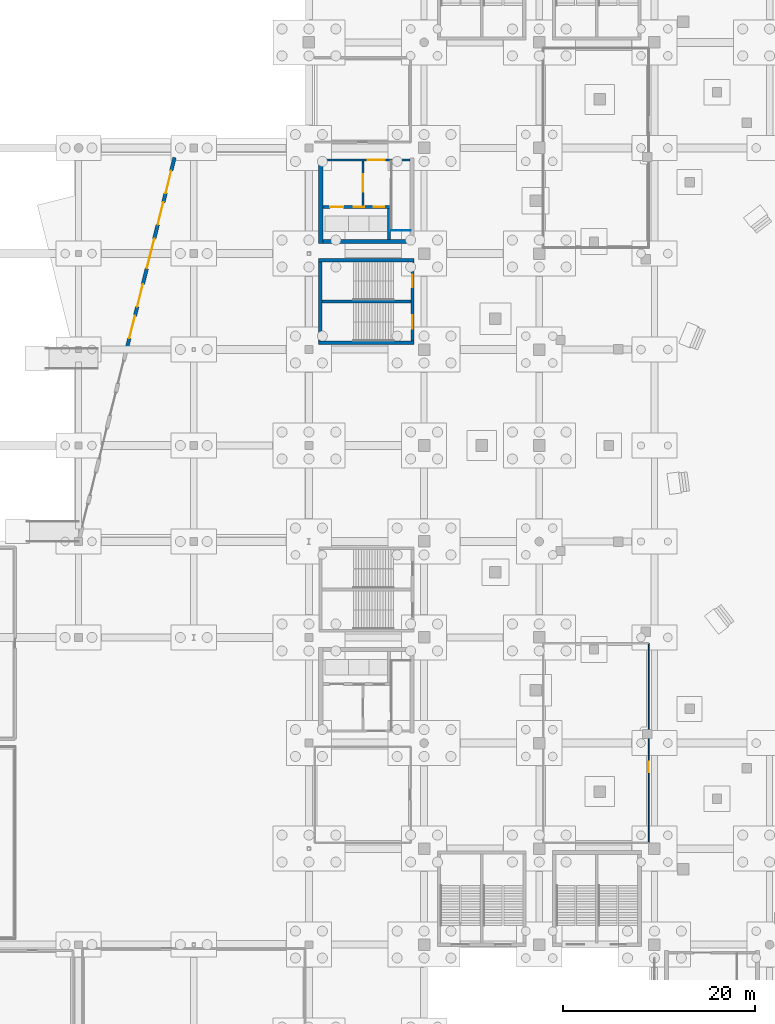
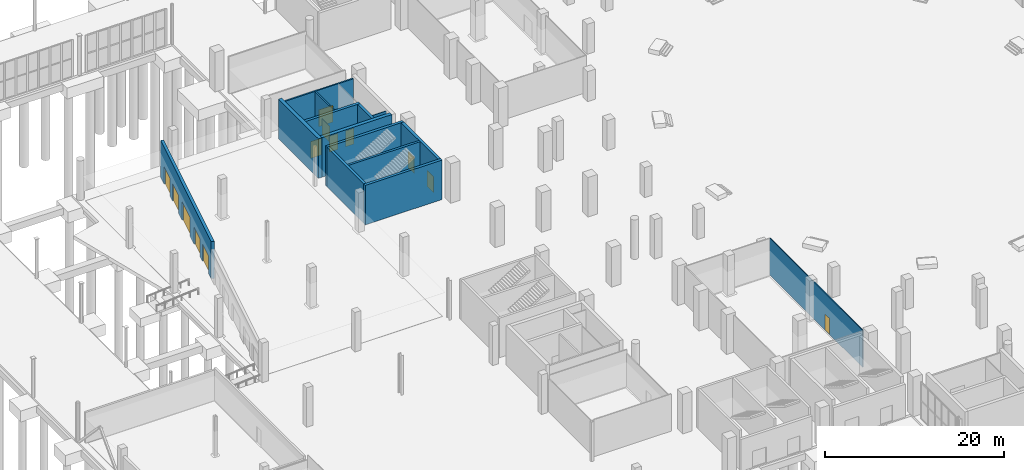
# One storey, part 51 of 70: 14 walls, 13 doors, 13 openings.
"""IFC4 building model written with IfcOpenShell, lengths in metres."""

from ifc_helpers import new_model, si_unit, direction, frame, frame_2d, origin, place, context, subcontext, project, spatial, rectangle, extrude, material, layer, layer_set, type_object, element, fill, save


model = new_model("IFC4")

# Units and contexts
model_context = context("Model", 3, precision=1e-05, world=origin(), true_north=direction((0.0, 1.0)))
body_context = subcontext(model_context, "Body", "Model", "MODEL_VIEW")
ifc_project = project(units=[si_unit("LENGTHUNIT", "METRE"), si_unit("AREAUNIT", "SQUARE_METRE"), si_unit("VOLUMEUNIT", "CUBIC_METRE"), si_unit("PLANEANGLEUNIT", "RADIAN"), si_unit("MASSUNIT", "GRAM", prefix="KILO")], contexts=[model_context])

# Site, building, storey
site_placement = place(None, origin())
site = spatial("IfcSite", under=ifc_project, at=site_placement, CompositionType="ELEMENT")
building_placement = place(site_placement, origin())
building = spatial("IfcBuilding", under=site, at=building_placement, Name="Brinegate Civic Arena", CompositionType="ELEMENT")
storey_placement = place(building_placement, origin())
storey = spatial("IfcBuildingStorey", under=building, at=storey_placement, Name="L00", CompositionType="ELEMENT", Elevation=0.0)

# Walls
ifc_material_1 = material(Name="Concrete C50/60", Category="concrete")
ifc_layer_1 = layer(ifc_material_1, 0.35009765625, Name="Concrete C50/60")
ifc_layer_set_1 = layer_set([ifc_layer_1], Name="Concrete C50/60")
wall_type_1 = type_object("IfcWallType", Name="WALL-CORE-SHEAR-350", PredefinedType="SHEAR", material=ifc_layer_set_1)
for number, where, z_axis, x_axis, name in (
    (1, (49.02490234375, 72.699951171875, 0.0), (0.0, 0.0, 1.0), (1.0, 0.0, 0.0), "Stair ST-07 South Shear Wall L00 (WBC-68)"),
    (2, (49.02490234375, 81.300048828125, 0.0), (0.0, 0.0, 1.0), (1.0, 0.0, 0.0), "Stair ST-07 North Shear Wall L00 (WBC-69)"),
):
    element("IfcWall", number, at=place(storey_placement, frame(where, z_axis=z_axis, x_axis=x_axis)), inside=storey, type_object=wall_type_1, Name=name, PredefinedType="SHEAR", context=body_context, shape_type="SweptSolid", body=[
        extrude(rectangle(XDim=9.9501953125, YDim=0.35009765625, at=frame_2d((4.97509765625, 0.0))), origin(), (0.0, 0.0, 1.0), 5.39990234375),
    ])
wall_1_placement = place(storey_placement, frame((49.199951171875, 72.875, 0.0), z_axis=(0.0, 0.0, 1.0), x_axis=(0.0, 1.0, 0.0)))
element("IfcWall", 3, at=wall_1_placement, inside=storey, type_object=wall_type_1, Name="Stair ST-07 West Shear Wall L00 (WBC-70)", PredefinedType="SHEAR", context=body_context, shape_type="SweptSolid", body=[
    extrude(rectangle(XDim=8.25, YDim=0.35009765625, at=frame_2d((4.125, 0.0))), origin(), (0.0, 0.0, 1.0), 5.39990234375),
])

# Wall, openings, doors
wall_2_placement = place(storey_placement, frame((58.800048828125, 72.875, 0.0), z_axis=(0.0, 0.0, 1.0), x_axis=(0.0, 1.0, 0.0)))
wall_2 = element("IfcWall", 4, at=wall_2_placement, inside=storey, type_object=wall_type_1, Name="Stair ST-07 East Shear Wall L00 (WBC-71)", PredefinedType="SHEAR", context=body_context, shape_type="SweptSolid", body=[
    extrude(rectangle(XDim=8.25, YDim=0.35009765625, at=frame_2d((4.125, 0.0))), origin(), (0.0, 0.0, 1.0), 5.39990234375),
])
opening_1_placement = place(wall_2_placement, frame((1.27490234375, 0.0, 0.0)))
opening_1 = element("IfcOpeningElement", 5, at=opening_1_placement, cuts=wall_2, Name="Opening D-ST07A-L00", PredefinedType="OPENING", context=body_context, shape_type="SweptSolid", body=[
    extrude(rectangle(XDim=1.39990234375, YDim=2.199951171875, at=frame_2d((0.699951171875, 1.10009765625))), frame((0.0, 0.18505859375, 0.0), z_axis=(0.0, -1.0, 0.0), x_axis=(1.0, 0.0, 0.0)), (0.0, 0.0, 1.0), 0.3701171875),
])
opening_2_placement = place(wall_2_placement, frame((5.614990234375, 0.0, 0.0)))
opening_2 = element("IfcOpeningElement", 6, at=opening_2_placement, cuts=wall_2, Name="Opening D-ST07B-L00", PredefinedType="OPENING", context=body_context, shape_type="SweptSolid", body=[
    extrude(rectangle(XDim=1.320068359375, YDim=2.199951171875, at=frame_2d((0.66015625, 1.10009765625))), frame((0.0, 0.18505859375, 0.0), z_axis=(0.0, -1.0, 0.0), x_axis=(1.0, 0.0, 0.0)), (0.0, 0.0, 1.0), 0.3701171875),
])
ifc_material_2 = material(Name="Galvanized hurricane steel", Category="steel")
door_type_1 = type_object("IfcDoorType", Name="DOOR-STAIR-2200X2200", OperationType="NOTDEFINED", PredefinedType="DOOR", material=ifc_material_2)
door_1_placement = place(opening_2_placement, origin())
door_1 = element("IfcDoor", 7, at=door_1_placement, inside=storey, type_object=door_type_1, Name="Protected Exit Stair Door D-ST07B-L00", OperationType="DOUBLE_DOOR_SINGLE_SWING", OverallHeight=2.199951171875, OverallWidth=1.320068359375, PredefinedType="DOOR", context=body_context, shape_type="SweptSolid", body=[
    extrude(rectangle(XDim=1.320068359375, YDim=2.199951171875, at=frame_2d((0.66015625, 1.10009765625))), frame((0.0, 0.02490234375, 0.0), z_axis=(0.0, -1.0, 0.0), x_axis=(1.0, 0.0, 0.0)), (0.0, 0.0, 1.0), 0.050048828125),
])
fill(opening_2, door_1)
door_type_2 = type_object("IfcDoorType", Name="DOOR-STAIR-2400X2200", OperationType="NOTDEFINED", PredefinedType="DOOR", material=ifc_material_2)
door_2_placement = place(opening_1_placement, origin())
door_2 = element("IfcDoor", 8, at=door_2_placement, inside=storey, type_object=door_type_2, Name="Protected Exit Stair Door D-ST07A-L00", OperationType="DOUBLE_DOOR_SINGLE_SWING", OverallHeight=2.199951171875, OverallWidth=1.39990234375, PredefinedType="DOOR", context=body_context, shape_type="SweptSolid", body=[
    extrude(rectangle(XDim=1.39990234375, YDim=2.199951171875, at=frame_2d((0.699951171875, 1.10009765625))), frame((0.0, 0.02490234375, 0.0), z_axis=(0.0, -1.0, 0.0), x_axis=(1.0, 0.0, 0.0)), (0.0, 0.0, 1.0), 0.050048828125),
])
fill(opening_1, door_2)

wall_3_placement = place(storey_placement, frame((49.47509765625, 86.85009765625, 0.0), z_axis=(0.0, 0.0, 1.0), x_axis=(1.0, 0.0, 0.0)))
wall_3 = element("IfcWall", 9, at=wall_3_placement, inside=storey, type_object=wall_type_1, Name="Core K1 Lift Shaft Front Wall L00 (WBF-39)", PredefinedType="SHEAR", context=body_context, shape_type="SweptSolid", body=[
    extrude(rectangle(XDim=7.0498046875, YDim=0.35009765625, at=frame_2d((3.52490234375, 0.0))), origin(), (0.0, 0.0, 1.0), 5.39990234375),
])
opening_3_placement = place(wall_3_placement, frame((0.72509765625, 0.0, 0.0)))
opening_3 = element("IfcOpeningElement", 10, at=opening_3_placement, cuts=wall_3, Name="Opening LD-FL1-L00", PredefinedType="OPENING", context=body_context, shape_type="SweptSolid", body=[
    extrude(rectangle(XDim=1.39990234375, YDim=2.300048828125, at=frame_2d((0.699951171875, 1.14990234375))), frame((0.0, 0.18505859375, 0.0), z_axis=(0.0, -1.0, 0.0), x_axis=(1.0, 0.0, 0.0)), (0.0, 0.0, 1.0), 0.3701171875),
])
opening_4_placement = place(wall_3_placement, frame((3.175048828125, 0.0, 0.0)))
opening_4 = element("IfcOpeningElement", 11, at=opening_4_placement, cuts=wall_3, Name="Opening LD-PL1-L00", PredefinedType="OPENING", context=body_context, shape_type="SweptSolid", body=[
    extrude(rectangle(XDim=1.10009765625, YDim=2.199951171875, at=frame_2d((0.550048828125, 1.10009765625))), frame((0.0, 0.18505859375, 0.0), z_axis=(0.0, -1.0, 0.0), x_axis=(1.0, 0.0, 0.0)), (0.0, 0.0, 1.0), 0.3701171875),
])
opening_5_placement = place(wall_3_placement, frame((5.27490234375, 0.0, 0.0)))
opening_5 = element("IfcOpeningElement", 12, at=opening_5_placement, cuts=wall_3, Name="Opening LD-PL2-L00", PredefinedType="OPENING", context=body_context, shape_type="SweptSolid", body=[
    extrude(rectangle(XDim=1.10009765625, YDim=2.199951171875, at=frame_2d((0.550048828125, 1.10009765625))), frame((0.0, 0.18505859375, 0.0), z_axis=(0.0, -1.0, 0.0), x_axis=(1.0, 0.0, 0.0)), (0.0, 0.0, 1.0), 0.3701171875),
])
ifc_material_3 = material(Name="Architectural stainless steel balustrade", Category="steel")
door_type_3 = type_object("IfcDoorType", Name="DOOR-LIFT-1100X2200", OperationType="SLIDING_TO_LEFT", PredefinedType="DOOR", material=ifc_material_3)
door_3_placement = place(opening_4_placement, origin())
door_3 = element("IfcDoor", 13, at=door_3_placement, inside=storey, type_object=door_type_3, Name="Sliding Lift Landing Door LD-PL1-L00", OperationType="SLIDING_TO_LEFT", OverallHeight=2.199951171875, OverallWidth=1.10009765625, PredefinedType="DOOR", context=body_context, shape_type="SweptSolid", body=[
    extrude(rectangle(XDim=1.10009765625, YDim=2.199951171875, at=frame_2d((0.550048828125, 1.10009765625))), frame((0.0, 0.02490234375, 0.0), z_axis=(0.0, -1.0, 0.0), x_axis=(1.0, 0.0, 0.0)), (0.0, 0.0, 1.0), 0.050048828125),
])
fill(opening_4, door_3)
door_4_placement = place(opening_5_placement, origin())
door_4 = element("IfcDoor", 14, at=door_4_placement, inside=storey, type_object=door_type_3, Name="Sliding Lift Landing Door LD-PL2-L00", OperationType="SLIDING_TO_LEFT", OverallHeight=2.199951171875, OverallWidth=1.10009765625, PredefinedType="DOOR", context=body_context, shape_type="SweptSolid", body=[
    extrude(rectangle(XDim=1.10009765625, YDim=2.199951171875, at=frame_2d((0.550048828125, 1.10009765625))), frame((0.0, 0.02490234375, 0.0), z_axis=(0.0, -1.0, 0.0), x_axis=(1.0, 0.0, 0.0)), (0.0, 0.0, 1.0), 0.050048828125),
])
fill(opening_5, door_4)
door_type_4 = type_object("IfcDoorType", Name="DOOR-LIFT-1400X2300", OperationType="SLIDING_TO_LEFT", PredefinedType="DOOR", material=ifc_material_3)
door_5_placement = place(opening_3_placement, origin())
door_5 = element("IfcDoor", 15, at=door_5_placement, inside=storey, type_object=door_type_4, Name="Sliding Lift Landing Door LD-FL1-L00", OperationType="SLIDING_TO_LEFT", OverallHeight=2.300048828125, OverallWidth=1.39990234375, PredefinedType="DOOR", context=body_context, shape_type="SweptSolid", body=[
    extrude(rectangle(XDim=1.39990234375, YDim=2.300048828125, at=frame_2d((0.699951171875, 1.14990234375))), frame((0.0, 0.02490234375, 0.0), z_axis=(0.0, -1.0, 0.0), x_axis=(1.0, 0.0, 0.0)), (0.0, 0.0, 1.0), 0.050048828125),
])
fill(opening_3, door_5)

# Walls
wall_4_placement = place(storey_placement, frame((56.35009765625, 83.47509765625, 0.0), z_axis=(0.0, 0.0, 1.0), x_axis=(0.0, 1.0, 0.0)))
element("IfcWall", 16, at=wall_4_placement, inside=storey, type_object=wall_type_1, Name="Core K1 Lift Shaft End Wall L00 (WBF-40)", PredefinedType="SHEAR", context=body_context, shape_type="SweptSolid", body=[
    extrude(rectangle(XDim=3.199951171875, YDim=0.35009765625, at=frame_2d((1.60009765625, 0.0))), origin(), (0.0, 0.0, 1.0), 5.39990234375),
])
ifc_layer_2 = layer(ifc_material_1, 0.449951171875, Name="Concrete C50/60")
ifc_layer_set_2 = layer_set([ifc_layer_2], Name="Concrete C50/60")
wall_type_2 = type_object("IfcWallType", Name="WALL-CORE-SHEAR-450", PredefinedType="SHEAR", material=ifc_layer_set_2)
wall_5_placement = place(storey_placement, frame((49.25, 83.02490234375, 0.0), z_axis=(0.0, 0.0, 1.0), x_axis=(0.0, 1.0, 0.0)))
element("IfcWall", 17, at=wall_5_placement, inside=storey, type_object=wall_type_2, Name="Core K1 West Shear Wall L00 (WBF-36)", PredefinedType="SHEAR", context=body_context, shape_type="SweptSolid", body=[
    extrude(rectangle(XDim=8.9501953125, YDim=0.449951171875, at=frame_2d((4.47509765625, 0.0))), origin(), (0.0, 0.0, 1.0), 5.39990234375),
])
wall_6_placement = place(storey_placement, frame((49.47509765625, 83.25, 0.0), z_axis=(0.0, 0.0, 1.0), x_axis=(1.0, 0.0, 0.0)))
element("IfcWall", 18, at=wall_6_placement, inside=storey, type_object=wall_type_2, Name="Core K1 South Shear Wall L00 (WBF-38)", PredefinedType="SHEAR", context=body_context, shape_type="SweptSolid", body=[
    extrude(rectangle(XDim=9.0498046875, YDim=0.449951171875, at=frame_2d((4.52490234375, 0.0))), origin(), (0.0, 0.0, 1.0), 5.39990234375),
])

# Wall, openings, doors
ifc_material_4 = material(Name="Precast concrete C45/55", Category="concrete")
ifc_layer_3 = layer(ifc_material_4, 0.360107421875, Name="Precast concrete C45/55")
ifc_layer_set_3 = layer_set([ifc_layer_3], Name="Precast concrete C45/55")
wall_type_3 = type_object("IfcWallType", Name="WALL-EXT-PRECAST-360", PredefinedType="SOLIDWALL", material=ifc_layer_set_3)
wall_7_placement = place(storey_placement, frame((29.0, 72.0, 0.0), z_axis=(0.0, 0.0, 1.0), x_axis=(0.242535625036, 0.970142500145, 0.0)))
wall_7 = element("IfcWall", 19, at=wall_7_placement, inside=storey, type_object=wall_type_3, Name="L00 Perimeter Wall WF-2 (WBA-29)", PredefinedType="SOLIDWALL", context=body_context, shape_type="SweptSolid", body=[
    extrude(rectangle(XDim=20.615478515625, YDim=0.360107421875, at=frame_2d((10.3076171875, 0.0))), origin(), (0.0, 0.0, 1.0), 5.06005859375),
])
opening_6_placement = place(wall_7_placement, frame((8.7080078125, 0.0, 0.0)))
opening_6 = element("IfcOpeningElement", 20, at=opening_6_placement, cuts=wall_7, Name="Opening E-12", PredefinedType="OPENING", context=body_context, shape_type="SweptSolid", body=[
    extrude(rectangle(XDim=3.199951171875, YDim=2.60009765625, at=frame_2d((1.60009765625, 1.300048828125))), frame((0.0, 0.18994140625, 0.0), z_axis=(0.0, -1.0, 0.0), x_axis=(1.0, 0.0, 0.0)), (0.0, 0.0, 1.0), 0.380126953125),
])
opening_7_placement = place(wall_7_placement, frame((1.199951171875, 0.0, 0.0)))
opening_7 = element("IfcOpeningElement", 21, at=opening_7_placement, cuts=wall_7, Name="Opening E-23", PredefinedType="OPENING", context=body_context, shape_type="SweptSolid", body=[
    extrude(rectangle(XDim=2.39990234375, YDim=2.39990234375, at=frame_2d((1.199951171875, 1.199951171875))), frame((0.0, 0.18994140625, 0.0), z_axis=(0.0, -1.0, 0.0), x_axis=(1.0, 0.0, 0.0)), (0.0, 0.0, 1.0), 0.380126953125),
])
opening_8_placement = place(wall_7_placement, frame((4.60009765625, 0.0, 0.0)))
opening_8 = element("IfcOpeningElement", 22, at=opening_8_placement, cuts=wall_7, Name="Opening E-24", PredefinedType="OPENING", context=body_context, shape_type="SweptSolid", body=[
    extrude(rectangle(XDim=2.39990234375, YDim=2.39990234375, at=frame_2d((1.199951171875, 1.199951171875))), frame((0.0, 0.18994140625, 0.0), z_axis=(0.0, -1.0, 0.0), x_axis=(1.0, 0.0, 0.0)), (0.0, 0.0, 1.0), 0.380126953125),
])
opening_9_placement = place(wall_7_placement, frame((13.39990234375, 0.0, 0.0)))
opening_9 = element("IfcOpeningElement", 23, at=opening_9_placement, cuts=wall_7, Name="Opening E-25", PredefinedType="OPENING", context=body_context, shape_type="SweptSolid", body=[
    extrude(rectangle(XDim=2.39990234375, YDim=2.39990234375, at=frame_2d((1.199951171875, 1.199951171875))), frame((0.0, 0.18994140625, 0.0), z_axis=(0.0, -1.0, 0.0), x_axis=(1.0, 0.0, 0.0)), (0.0, 0.0, 1.0), 0.380126953125),
])
opening_10_placement = place(wall_7_placement, frame((16.800048828125, 0.0, 0.0)))
opening_10 = element("IfcOpeningElement", 24, at=opening_10_placement, cuts=wall_7, Name="Opening E-26", PredefinedType="OPENING", context=body_context, shape_type="SweptSolid", body=[
    extrude(rectangle(XDim=2.39990234375, YDim=2.39990234375, at=frame_2d((1.199951171875, 1.199951171875))), frame((0.0, 0.18994140625, 0.0), z_axis=(0.0, -1.0, 0.0), x_axis=(1.0, 0.0, 0.0)), (0.0, 0.0, 1.0), 0.380126953125),
])
ifc_material_5 = material(Name="Marine grade aluminium", Category="aluminium")
door_type_5 = type_object("IfcDoorType", Name="DOOR-FINAL-EXIT-2400X2400", OperationType="NOTDEFINED", PredefinedType="DOOR", material=ifc_material_5)
door_6_placement = place(opening_7_placement, origin())
door_6 = element("IfcDoor", 25, at=door_6_placement, inside=storey, type_object=door_type_5, Name="Main Pedestrian Final Exit Door E-23", OperationType="DOUBLE_DOOR_SINGLE_SWING", OverallHeight=2.39990234375, OverallWidth=2.39990234375, PredefinedType="DOOR", context=body_context, shape_type="SweptSolid", body=[
    extrude(rectangle(XDim=2.39990234375, YDim=2.39990234375, at=frame_2d((1.199951171875, 1.199951171875))), frame((0.0, 0.02490234375, 0.0), z_axis=(0.0, -1.0, 0.0), x_axis=(1.0, 0.0, 0.0)), (0.0, 0.0, 1.0), 0.050048828125),
])
fill(opening_7, door_6)
door_7_placement = place(opening_8_placement, origin())
door_7 = element("IfcDoor", 26, at=door_7_placement, inside=storey, type_object=door_type_5, Name="Main Pedestrian Final Exit Door E-24", OperationType="DOUBLE_DOOR_SINGLE_SWING", OverallHeight=2.39990234375, OverallWidth=2.39990234375, PredefinedType="DOOR", context=body_context, shape_type="SweptSolid", body=[
    extrude(rectangle(XDim=2.39990234375, YDim=2.39990234375, at=frame_2d((1.199951171875, 1.199951171875))), frame((0.0, 0.02490234375, 0.0), z_axis=(0.0, -1.0, 0.0), x_axis=(1.0, 0.0, 0.0)), (0.0, 0.0, 1.0), 0.050048828125),
])
fill(opening_8, door_7)
door_8_placement = place(opening_9_placement, origin())
door_8 = element("IfcDoor", 27, at=door_8_placement, inside=storey, type_object=door_type_5, Name="Main Pedestrian Final Exit Door E-25", OperationType="DOUBLE_DOOR_SINGLE_SWING", OverallHeight=2.39990234375, OverallWidth=2.39990234375, PredefinedType="DOOR", context=body_context, shape_type="SweptSolid", body=[
    extrude(rectangle(XDim=2.39990234375, YDim=2.39990234375, at=frame_2d((1.199951171875, 1.199951171875))), frame((0.0, 0.02490234375, 0.0), z_axis=(0.0, -1.0, 0.0), x_axis=(1.0, 0.0, 0.0)), (0.0, 0.0, 1.0), 0.050048828125),
])
fill(opening_9, door_8)
door_9_placement = place(opening_10_placement, origin())
door_9 = element("IfcDoor", 28, at=door_9_placement, inside=storey, type_object=door_type_5, Name="Main Pedestrian Final Exit Door E-26", OperationType="DOUBLE_DOOR_SINGLE_SWING", OverallHeight=2.39990234375, OverallWidth=2.39990234375, PredefinedType="DOOR", context=body_context, shape_type="SweptSolid", body=[
    extrude(rectangle(XDim=2.39990234375, YDim=2.39990234375, at=frame_2d((1.199951171875, 1.199951171875))), frame((0.0, 0.02490234375, 0.0), z_axis=(0.0, -1.0, 0.0), x_axis=(1.0, 0.0, 0.0)), (0.0, 0.0, 1.0), 0.050048828125),
])
fill(opening_10, door_9)
door_type_6 = type_object("IfcDoorType", Name="DOOR-FINAL-EXIT-3200X2600", OperationType="NOTDEFINED", PredefinedType="DOOR", material=ifc_material_5)
door_10_placement = place(opening_6_placement, origin())
door_10 = element("IfcDoor", 29, at=door_10_placement, inside=storey, type_object=door_type_6, Name="Main Pedestrian Final Exit Door E-12", OperationType="DOUBLE_DOOR_SINGLE_SWING", OverallHeight=2.60009765625, OverallWidth=3.199951171875, PredefinedType="DOOR", context=body_context, shape_type="SweptSolid", body=[
    extrude(rectangle(XDim=3.199951171875, YDim=2.60009765625, at=frame_2d((1.60009765625, 1.300048828125))), frame((0.0, 0.02490234375, 0.0), z_axis=(0.0, -1.0, 0.0), x_axis=(1.0, 0.0, 0.0)), (0.0, 0.0, 1.0), 0.050048828125),
])
fill(opening_6, door_10)

# Wall, opening, door
ifc_material_6 = material(Name="Concrete blockwork masonry", Category="masonry")
ifc_layer_4 = layer(ifc_material_6, 0.18994140625, Name="Concrete blockwork masonry")
ifc_layer_set_4 = layer_set([ifc_layer_4], Name="Concrete blockwork masonry")
wall_type_4 = type_object("IfcWallType", Name="WALL-PART-RATED-190", PredefinedType="PARTITIONING", material=ifc_layer_set_4)
wall_8_placement = place(storey_placement, frame((49.469970703125, 91.75, 0.0), z_axis=(0.0, 0.0, 1.0), x_axis=(1.0, 0.0, 0.0)))
wall_8 = element("IfcWall", 30, at=wall_8_placement, inside=storey, type_object=wall_type_4, Name="Core K1 Concourse Lobby Wall L00 (WBF-41)", PredefinedType="PARTITIONING", context=body_context, shape_type="SweptSolid", body=[
    extrude(rectangle(XDim=9.06005859375, YDim=0.18994140625, at=frame_2d((4.530029296875, 0.0))), origin(), (0.0, 0.0, 1.0), 5.06005859375),
])
opening_11_placement = place(wall_8_placement, frame((4.64990234375, 0.0, 0.0)))
opening_11 = element("IfcOpeningElement", 31, at=opening_11_placement, cuts=wall_8, Name="Opening D-K1L-L00", PredefinedType="OPENING", context=body_context, shape_type="SweptSolid", body=[
    extrude(rectangle(XDim=1.800048828125, YDim=2.300048828125, at=frame_2d((0.89990234375, 1.14990234375))), frame((0.0, 0.10498046875, 0.0), z_axis=(0.0, -1.0, 0.0), x_axis=(1.0, 0.0, 0.0)), (0.0, 0.0, 1.0), 0.2099609375),
])
door_type_7 = type_object("IfcDoorType", Name="DOOR-CONC-1800X2300", OperationType="NOTDEFINED", PredefinedType="DOOR", material=ifc_material_5)
door_11_placement = place(opening_11_placement, origin())
door_11 = element("IfcDoor", 32, at=door_11_placement, inside=storey, type_object=door_type_7, Name="Lift Lobby Door D-K1L-L00", OperationType="DOUBLE_DOOR_SINGLE_SWING", OverallHeight=2.300048828125, OverallWidth=1.800048828125, PredefinedType="DOOR", context=body_context, shape_type="SweptSolid", body=[
    extrude(rectangle(XDim=1.800048828125, YDim=2.300048828125, at=frame_2d((0.89990234375, 1.14990234375))), frame((0.0, 0.02490234375, 0.0), z_axis=(0.0, -1.0, 0.0), x_axis=(1.0, 0.0, 0.0)), (0.0, 0.0, 1.0), 0.050048828125),
])
fill(opening_11, door_11)

wall_9_placement = place(storey_placement, frame((53.64990234375, 87.02490234375, 0.0), z_axis=(0.0, 0.0, 1.0), x_axis=(0.0, 1.0, 0.0)))
wall_9 = element("IfcWall", 33, at=wall_9_placement, inside=storey, type_object=wall_type_4, Name="Firefighting Lobby K1 Wall L00 (WBF-42)", PredefinedType="PARTITIONING", context=body_context, shape_type="SweptSolid", body=[
    extrude(rectangle(XDim=4.625, YDim=0.18994140625, at=frame_2d((2.3125, 0.0))), origin(), (0.0, 0.0, 1.0), 5.06005859375),
])
opening_12_placement = place(wall_9_placement, frame((1.4130859375, 0.0, 0.0)))
opening_12 = element("IfcOpeningElement", 34, at=opening_12_placement, cuts=wall_9, Name="Opening D-K1F-L00", PredefinedType="OPENING", context=body_context, shape_type="SweptSolid", body=[
    extrude(rectangle(XDim=1.800048828125, YDim=2.199951171875, at=frame_2d((0.89990234375, 1.10009765625))), frame((0.0, 0.10498046875, 0.0), z_axis=(0.0, -1.0, 0.0), x_axis=(1.0, 0.0, 0.0)), (0.0, 0.0, 1.0), 0.2099609375),
])
door_type_8 = type_object("IfcDoorType", Name="DOOR-FFLOB-1800X2200", OperationType="NOTDEFINED", PredefinedType="DOOR", material=ifc_material_2)
door_12_placement = place(opening_12_placement, origin())
door_12 = element("IfcDoor", 35, at=door_12_placement, inside=storey, type_object=door_type_8, Name="Firefighting Lift Lobby Door D-K1F-L00", OperationType="DOUBLE_DOOR_SINGLE_SWING", OverallHeight=2.199951171875, OverallWidth=1.800048828125, PredefinedType="DOOR", context=body_context, shape_type="SweptSolid", body=[
    extrude(rectangle(XDim=1.800048828125, YDim=2.199951171875, at=frame_2d((0.89990234375, 1.10009765625))), frame((0.0, 0.02490234375, 0.0), z_axis=(0.0, -1.0, 0.0), x_axis=(1.0, 0.0, 0.0)), (0.0, 0.0, 1.0), 0.050048828125),
])
fill(opening_12, door_12)

ifc_material_7 = material(Name="Fire-rated gypsum partition assembly")
ifc_layer_5 = layer(ifc_material_7, 0.114990234375, Name="Fire-rated gypsum partition assembly")
ifc_layer_set_5 = layer_set([ifc_layer_5], Name="Fire-rated gypsum partition assembly")
wall_type_5 = type_object("IfcWallType", Name="WALL-PART-STD-115", PredefinedType="PARTITIONING", material=ifc_layer_set_5)
wall_10_placement = place(storey_placement, frame((83.39990234375, 41.39990234375, 0.0), z_axis=(0.0, 0.0, 1.0), x_axis=(0.0, -1.0, 0.0)))
wall_10 = element("IfcWall", 36, at=wall_10_placement, inside=storey, type_object=wall_type_5, Name="Event Production and Staging Workshop Partition Wall E1 (WBI-80)", PredefinedType="PARTITIONING", context=body_context, shape_type="SweptSolid", body=[
    extrude(rectangle(XDim=20.7998046875, YDim=0.114990234375, at=frame_2d((10.39990234375, 0.0))), origin(), (0.0, 0.0, 1.0), 5.06005859375),
])
opening_13_placement = place(wall_10_placement, frame((12.37109375, 0.0, 0.0)))
opening_13 = element("IfcOpeningElement", 37, at=opening_13_placement, cuts=wall_10, Name="Opening D-L00-168", PredefinedType="OPENING", context=body_context, shape_type="SweptSolid", body=[
    extrude(rectangle(XDim=1.050048828125, YDim=2.199951171875, at=frame_2d((0.52490234375, 1.10009765625))), frame((0.0, 0.0673828125, 0.0), z_axis=(0.0, -1.0, 0.0), x_axis=(1.0, 0.0, 0.0)), (0.0, 0.0, 1.0), 0.135009765625),
])
ifc_material_8 = material(Name="Hardwood acoustic timber door", Category="wood")
door_type_9 = type_object("IfcDoorType", Name="DOOR-SUITE-1050X2200", OperationType="NOTDEFINED", PredefinedType="DOOR", material=ifc_material_8)
door_13_placement = place(opening_13_placement, origin())
door_13 = element("IfcDoor", 38, at=door_13_placement, inside=storey, type_object=door_type_9, Name="Event Production and Staging Workshop Door D-L00-168", OperationType="SINGLE_SWING_LEFT", OverallHeight=2.199951171875, OverallWidth=1.050048828125, PredefinedType="DOOR", context=body_context, shape_type="SweptSolid", body=[
    extrude(rectangle(XDim=1.050048828125, YDim=2.199951171875, at=frame_2d((0.52490234375, 1.10009765625))), frame((0.0, 0.02490234375, 0.0), z_axis=(0.0, -1.0, 0.0), x_axis=(1.0, 0.0, 0.0)), (0.0, 0.0, 1.0), 0.050048828125),
])
fill(opening_13, door_13)

# Walls
ifc_layer_6 = layer(ifc_material_6, 0.10009765625, Name="Concrete blockwork masonry")
ifc_layer_set_6 = layer_set([ifc_layer_6], Name="Concrete blockwork masonry")
wall_type_6 = type_object("IfcWallType", Name="WALL-PART-WET-100", PredefinedType="PARTITIONING", material=ifc_layer_set_6)
wall_11_placement = place(storey_placement, frame((56.60009765625, 84.39990234375, 0.0), z_axis=(0.0, 0.0, 1.0), x_axis=(1.0, 0.0, 0.0)))
element("IfcWall", 39, at=wall_11_placement, inside=storey, type_object=wall_type_6, Name="Accessible WC K1 Back Partition L00 (WBF-44)", PredefinedType="PARTITIONING", context=body_context, shape_type="SweptSolid", body=[
    extrude(rectangle(XDim=2.0, YDim=0.10009765625, at=frame_2d((1.0, 0.0))), origin(), (0.0, 0.0, 1.0), 5.06005859375),
])
ifc_layer_7 = layer(ifc_material_1, 0.2900390625, Name="Concrete C50/60")
ifc_layer_set_7 = layer_set([ifc_layer_7], Name="Concrete C50/60")
wall_type_7 = type_object("IfcWallType", Name="WALL-STAIR-SHEAR-290", PredefinedType="SHEAR", material=ifc_layer_set_7)
wall_12_placement = place(storey_placement, frame((49.375, 77.0, 0.0), z_axis=(0.0, 0.0, 1.0), x_axis=(1.0, 0.0, 0.0)))
element("IfcWall", 40, at=wall_12_placement, inside=storey, type_object=wall_type_7, Name="Stair ST-07 Central Dividing Shear Wall L00 (WBC-72)", PredefinedType="SHEAR", context=body_context, shape_type="SweptSolid", body=[
    extrude(rectangle(XDim=9.25, YDim=0.2900390625, at=frame_2d((4.625, 0.0))), origin(), (0.0, 0.0, 1.0), 5.39990234375),
])

save(model, "model.ifc")
